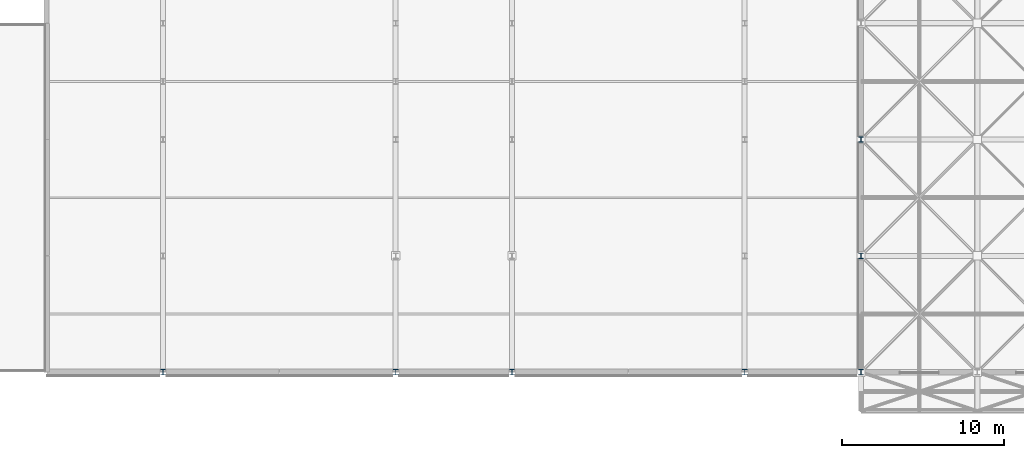
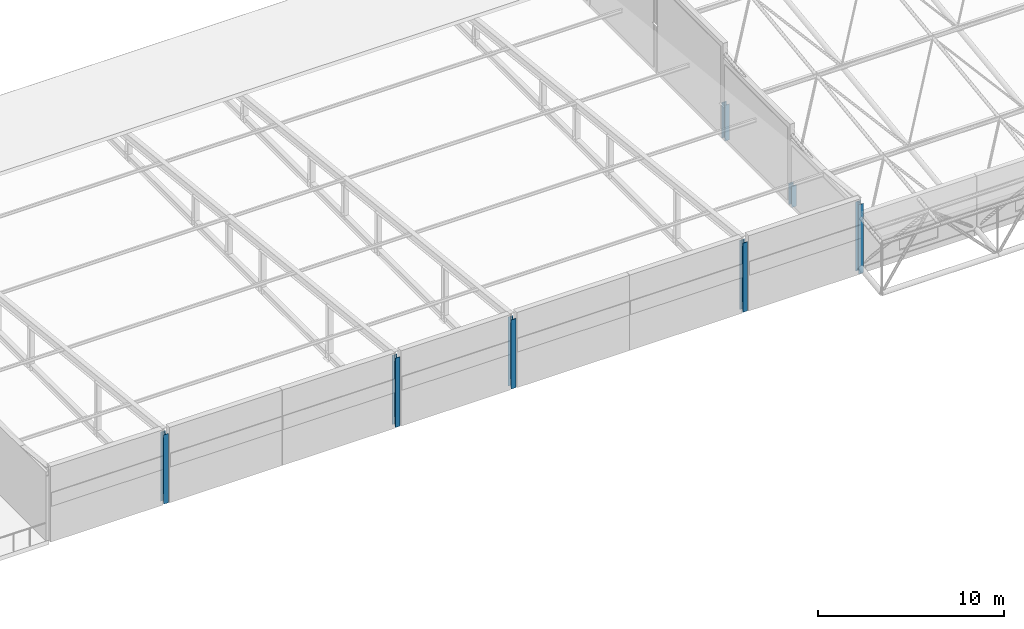
# One storey, part 4 of 103: 7 columns.
"""IFC4 building model written with IfcOpenShell, lengths in metres."""

from ifc_helpers import new_model, si_unit, direction, frame, origin, origin_2d, place, context, subcontext, project, spatial, i_section, extrude, material, material_profile, profile_set, type_object, element, save


model = new_model("IFC4")

# Units and contexts
model_context = context("Model", 3, precision=1e-05, world=origin(), true_north=direction((0.0, 1.0)))
body_context = subcontext(model_context, "Body", "Model", "MODEL_VIEW")
ifc_project = project(units=[si_unit("LENGTHUNIT", "METRE"), si_unit("AREAUNIT", "SQUARE_METRE"), si_unit("VOLUMEUNIT", "CUBIC_METRE"), si_unit("PLANEANGLEUNIT", "RADIAN"), si_unit("MASSUNIT", "GRAM", prefix="KILO")], contexts=[model_context])

# Site, building, storey
site_placement = place(None, origin())
site = spatial("IfcSite", under=ifc_project, at=site_placement, CompositionType="ELEMENT")
building_placement = place(site_placement, origin())
building = spatial("IfcBuilding", under=site, at=building_placement, Name="Thalmaran Polytechnic", CompositionType="ELEMENT")
storey_placement = place(building_placement, frame((0.0, 0.0, 14.39990234375)))
storey = spatial("IfcBuildingStorey", under=building, at=storey_placement, Name="L03", CompositionType="ELEMENT", Elevation=14.39990234375)

# Columns
ifc_material = material(Name="Steel S355", Category="steel")
ifc_material_profile = material_profile(ifc_material, i_section(OverallWidth=0.300048828125, OverallDepth=0.340087890625, WebThickness=0.011962890625, FlangeThickness=0.021484375, at=origin_2d()), Name="HEB 340")
ifc_profile_set = profile_set([ifc_material_profile], Name="Steel S355")
column_type = type_object("IfcColumnType", Name="COL-SC1", PredefinedType="COLUMN", material=ifc_profile_set)
column_1_placement = place(storey_placement, frame((108.0, 7.199951171875, 0.0), z_axis=(0.0, 0.0, 1.0), x_axis=(1.0, 0.0, 0.0)))
element("IfcColumn", 1, at=column_1_placement, inside=storey, type_object=column_type, Name="Workshop Gable Steel Column (15,1)", PredefinedType="COLUMN", context=body_context, shape_type="SweptSolid", body=[
    extrude(i_section(OverallWidth=0.300048828125, OverallDepth=0.340087890625, WebThickness=0.011962890625, FlangeThickness=0.021484375, at=origin_2d()), origin(), (0.0, 0.0, 1.0), 1.407958984375),
])
column_2_placement = place(storey_placement, frame((108.0, 14.39990234375, 0.0), z_axis=(0.0, 0.0, 1.0), x_axis=(1.0, 0.0, 0.0)))
element("IfcColumn", 2, at=column_2_placement, inside=storey, type_object=column_type, Name="Workshop Gable Steel Column (15,2)", PredefinedType="COLUMN", context=body_context, shape_type="SweptSolid", body=[
    extrude(i_section(OverallWidth=0.300048828125, OverallDepth=0.340087890625, WebThickness=0.011962890625, FlangeThickness=0.021484375, at=origin_2d()), origin(), (0.0, 0.0, 1.0), 2.35595703125),
])
for number, where, z_axis, x_axis, name in (
    (3, (64.800048828125, 0.0, 0.0), (0.0, 0.0, 1.0), (1.0, 0.0, 0.0), "Lecture Roof South Post G09"),
    (4, (79.199951171875, 0.0, 0.0), (0.0, 0.0, 1.0), (1.0, 0.0, 0.0), "Lecture Roof South Post G11"),
    (5, (86.39990234375, 0.0, 0.0), (0.0, 0.0, 1.0), (1.0, 0.0, 0.0), "Lecture Roof South Post G12"),
    (6, (100.800048828125, 0.0, 0.0), (0.0, 0.0, 1.0), (1.0, 0.0, 0.0), "Lecture Roof South Post G14"),
    (7, (108.0, 0.0, 0.0), (0.0, 0.0, 1.0), (1.0, 0.0, 0.0), "Lecture Roof South Post G15"),
):
    element("IfcColumn", number, at=place(storey_placement, frame(where, z_axis=z_axis, x_axis=x_axis)), inside=storey, type_object=column_type, Name=name, PredefinedType="COLUMN", context=body_context, shape_type="SweptSolid", body=[
        extrude(i_section(OverallWidth=0.300048828125, OverallDepth=0.340087890625, WebThickness=0.011962890625, FlangeThickness=0.021484375, at=origin_2d()), origin(), (0.0, 0.0, 1.0), 4.550048828125),
    ])

save(model, "model.ifc")
